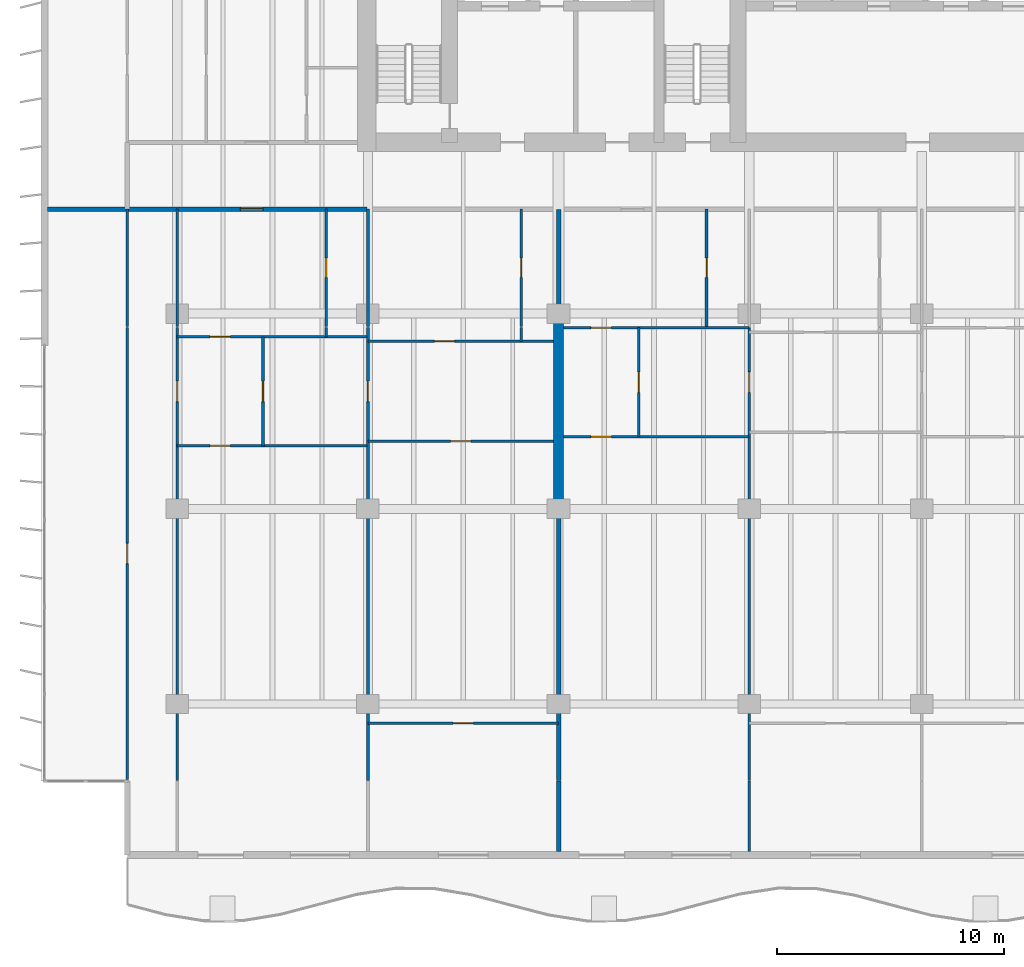
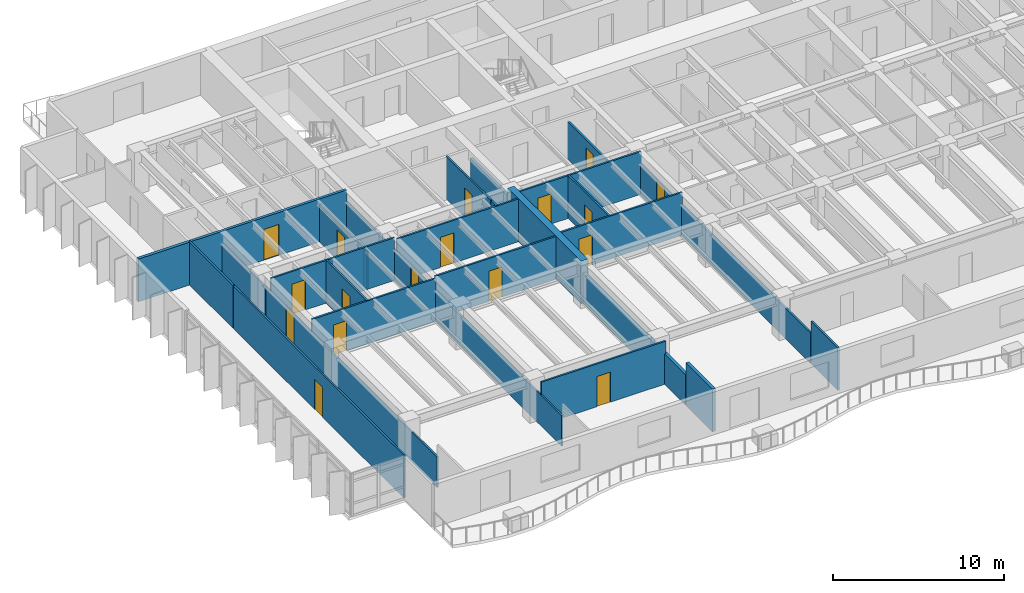
# One storey, part 6 of 15: 28 walls, 17 doors, 17 openings.
"""IFC4 building model written with IfcOpenShell, lengths in metres."""

from ifc_helpers import new_model, si_unit, direction, frame, frame_2d, origin, place, context, subcontext, project, spatial, rectangle, extrude, material, layer, layer_set, type_object, element, fill, save


model = new_model("IFC4")

# Units and contexts
model_context = context("Model", 3, precision=1e-05, world=origin(), true_north=direction((0.0, 1.0)))
body_context = subcontext(model_context, "Body", "Model", "MODEL_VIEW")
ifc_project = project(units=[si_unit("LENGTHUNIT", "METRE"), si_unit("AREAUNIT", "SQUARE_METRE"), si_unit("VOLUMEUNIT", "CUBIC_METRE"), si_unit("PLANEANGLEUNIT", "RADIAN"), si_unit("MASSUNIT", "GRAM", prefix="KILO")], contexts=[model_context])

# Site, building, storey
site_placement = place(None, origin())
site = spatial("IfcSite", under=ifc_project, at=site_placement, CompositionType="ELEMENT")
building_placement = place(site_placement, origin())
building = spatial("IfcBuilding", under=site, at=building_placement, Name="Caelmar Bay Residences", CompositionType="ELEMENT")
storey_placement = place(building_placement, frame((0.0, 0.0, 135.60009765625)))
storey = spatial("IfcBuildingStorey", under=building, at=storey_placement, Name="L37", CompositionType="ELEMENT", Elevation=135.60009765625)

# Wall
ifc_material_1 = material(Name="Concrete f'c 55 MPa (8,000 psi)", Category="concrete")
ifc_layer_1 = layer(ifc_material_1, 0.449951171875)
ifc_layer_set_1 = layer_set([ifc_layer_1], Name="Concrete f'c 55 MPa (8,000 psi)")
wall_type_1 = type_object("IfcWallType", Name="SW-XSLB-450", PredefinedType="SHEAR", material=ifc_layer_set_1)
wall_1_placement = place(storey_placement, frame((26.699951171875, 20.800048828125, 0.0), z_axis=(0.0, 0.0, 1.0), x_axis=(0.0, 1.0, 0.0)))
element("IfcWall", 1, at=wall_1_placement, inside=storey, type_object=wall_type_1, Name="L37 Transverse Cross-Slab Shear Wall W5", PredefinedType="SHEAR", context=body_context, shape_type="SweptSolid", body=[
    extrude(rectangle(XDim=8.599853515625, YDim=0.449951171875, at=frame_2d((4.2998046875, 0.0))), origin(), (0.0, 0.0, 1.0), 3.0498046875),
])

# Wall, opening, door
ifc_material_2 = material(Name="Double-stud acoustic fire-rated gypsum partition 180 mm")
ifc_layer_2 = layer(ifc_material_2, 0.179931640625)
ifc_layer_set_2 = layer_set([ifc_layer_2], Name="Double-stud acoustic fire-rated gypsum partition 180 mm")
wall_type_2 = type_object("IfcWallType", Name="W-COR-200", PredefinedType="PARTITIONING", material=ifc_layer_set_2)
wall_2_placement = place(storey_placement, frame((7.705078125, 34.0, 0.0), z_axis=(0.0, 0.0, 1.0), x_axis=(1.0, 0.0, 0.0)))
wall_2 = element("IfcWall", 2, at=wall_2_placement, inside=storey, type_object=wall_type_2, Name="L37 Partition Wall H093", PredefinedType="PARTITIONING", context=body_context, shape_type="SweptSolid", body=[
    extrude(rectangle(XDim=10.544921875, YDim=0.179931640625, at=frame_2d((5.2724609375, 0.0))), origin(), (0.0, 0.0, 1.0), 3.0498046875),
])
opening_1_placement = place(wall_2_placement, frame((4.978515625, 0.0, 0.0)))
opening_1 = element("IfcOpeningElement", 3, at=opening_1_placement, cuts=wall_2, Name="Opening D-L37-120", PredefinedType="OPENING", context=body_context, shape_type="SweptSolid", body=[
    extrude(rectangle(XDim=1.0, YDim=2.199951171875, at=frame_2d((0.5, 1.10009765625))), frame((0.0, 0.099853515625, 0.0), z_axis=(0.0, -1.0, 0.0), x_axis=(1.0, 0.0, 0.0)), (0.0, 0.0, 1.0), 0.199951171875),
])
ifc_material_3 = material(Name="Fire-rated steel and walnut architectural door assembly", Category="steel")
ifc_layer_3 = layer(ifc_material_3, 0.050048828125)
ifc_layer_set_3 = layer_set([ifc_layer_3], Name="Fire-rated steel and walnut architectural door assembly")
door_type_1 = type_object("IfcDoorType", Name="D-UNIT-1000", OperationType="NOTDEFINED", PredefinedType="DOOR", material=ifc_layer_set_3)
door_1_placement = place(opening_1_placement, origin())
door_1 = element("IfcDoor", 4, at=door_1_placement, inside=storey, type_object=door_type_1, Name="L37 Residence 01 Apartment Hall Door", OperationType="SINGLE_SWING_LEFT", OverallHeight=2.199951171875, OverallWidth=1.0, PredefinedType="DOOR", context=body_context, shape_type="SweptSolid", body=[
    extrude(rectangle(XDim=1.0, YDim=2.199951171875, at=frame_2d((0.5, 1.10009765625))), frame((0.0, 0.02490234375, 0.0), z_axis=(0.0, -1.0, 0.0), x_axis=(1.0, 0.0, 0.0)), (0.0, 0.0, 1.0), 0.050048828125),
])
fill(opening_1, door_1)

ifc_material_4 = material(Name="Acoustic metal-stud gypsum partition 120 mm")
ifc_layer_4 = layer(ifc_material_4, 0.1201171875)
ifc_layer_set_4 = layer_set([ifc_layer_4], Name="Acoustic metal-stud gypsum partition 120 mm")
wall_type_3 = type_object("IfcWallType", Name="W-PRT-120", PredefinedType="PARTITIONING", material=ifc_layer_set_4)
wall_3_placement = place(storey_placement, frame((7.699951171875, 8.885009765625, 0.0), z_axis=(0.0, 0.0, 1.0), x_axis=(0.0, 1.0, 0.0)))
wall_3 = element("IfcWall", 5, at=wall_3_placement, inside=storey, type_object=wall_type_3, Name="L37 Partition Wall V001", PredefinedType="PARTITIONING", context=body_context, shape_type="SweptSolid", body=[
    extrude(rectangle(XDim=19.89501953125, YDim=0.1201171875, at=frame_2d((9.947509765625, 0.0))), origin(), (0.0, 0.0, 1.0), 3.0498046875),
])
opening_2_placement = place(wall_3_placement, frame((9.49755859375, 0.0, 0.0)))
opening_2 = element("IfcOpeningElement", 6, at=opening_2_placement, cuts=wall_3, Name="Opening D-L37-161", PredefinedType="OPENING", context=body_context, shape_type="SweptSolid", body=[
    extrude(rectangle(XDim=0.89990234375, YDim=2.14990234375, at=frame_2d((0.449951171875, 1.074951171875))), frame((0.0, 0.070068359375, 0.0), z_axis=(0.0, -1.0, 0.0), x_axis=(1.0, 0.0, 0.0)), (0.0, 0.0, 1.0), 0.14013671875),
])
ifc_material_5 = material(Name="Solid walnut timber interior door leaf and frame", Category="wood")
ifc_layer_5 = layer(ifc_material_5, 0.050048828125)
ifc_layer_set_5 = layer_set([ifc_layer_5], Name="Solid walnut timber interior door leaf and frame")
door_type_2 = type_object("IfcDoorType", Name="D-ROOM-900", OperationType="NOTDEFINED", PredefinedType="DOOR", material=ifc_layer_set_5)
door_2_placement = place(opening_2_placement, origin())
door_2 = element("IfcDoor", 7, at=door_2_placement, inside=storey, type_object=door_type_2, Name="L37 Residence 01 Penthouse West Salon Door", OperationType="SINGLE_SWING_RIGHT", OverallHeight=2.14990234375, OverallWidth=0.89990234375, PredefinedType="DOOR", context=body_context, shape_type="SweptSolid", body=[
    extrude(rectangle(XDim=0.89990234375, YDim=2.14990234375, at=frame_2d((0.449951171875, 1.074951171875))), frame((0.0, 0.02490234375, 0.0), z_axis=(0.0, -1.0, 0.0), x_axis=(1.0, 0.0, 0.0)), (0.0, 0.0, 1.0), 0.050048828125),
])
fill(opening_2, door_2)

# Wall
wall_4_placement = place(storey_placement, frame((7.699951171875, 28.840087890625, 0.0), z_axis=(0.0, 0.0, 1.0), x_axis=(0.0, 1.0, 0.0)))
element("IfcWall", 8, at=wall_4_placement, inside=storey, type_object=wall_type_3, Name="L37 Partition Wall V002", PredefinedType="PARTITIONING", context=body_context, shape_type="SweptSolid", body=[
    extrude(rectangle(XDim=5.159912109375, YDim=0.1201171875, at=frame_2d((2.580078125, 0.0))), origin(), (0.0, 0.0, 1.0), 3.0498046875),
])

# Wall, opening, door
wall_5_placement = place(storey_placement, frame((9.89990234375, 8.840087890625, 0.0), z_axis=(0.0, 0.0, 1.0), x_axis=(0.0, 1.0, 0.0)))
wall_5 = element("IfcWall", 9, at=wall_5_placement, inside=storey, type_object=wall_type_3, Name="L37 Partition Wall V007", PredefinedType="PARTITIONING", context=body_context, shape_type="SweptSolid", body=[
    extrude(rectangle(XDim=19.93994140625, YDim=0.1201171875, at=frame_2d((9.969970703125, 0.0))), origin(), (0.0, 0.0, 1.0), 2.173828125),
])
opening_3_placement = place(wall_5_placement, frame((16.68994140625, 0.0, 0.0)))
opening_3 = element("IfcOpeningElement", 10, at=opening_3_placement, cuts=wall_5, Name="Opening D-L37-130", PredefinedType="OPENING", context=body_context, shape_type="SweptSolid", body=[
    extrude(rectangle(XDim=0.89990234375, YDim=2.1240234375, at=frame_2d((0.449951171875, 1.06201171875))), frame((0.0, 0.070068359375, 0.0), z_axis=(0.0, -1.0, 0.0), x_axis=(1.0, 0.0, 0.0)), (0.0, 0.0, 1.0), 0.14013671875),
])
door_3_placement = place(opening_3_placement, origin())
door_3 = element("IfcDoor", 11, at=door_3_placement, inside=storey, type_object=door_type_2, Name="L37 Residence 01 West Apartment Hall Door", OperationType="SINGLE_SWING_LEFT", OverallHeight=2.1240234375, OverallWidth=0.89990234375, PredefinedType="DOOR", context=body_context, shape_type="SweptSolid", body=[
    extrude(rectangle(XDim=0.89990234375, YDim=2.1240234375, at=frame_2d((0.449951171875, 1.06201171875))), frame((0.0, 0.02490234375, 0.0), z_axis=(0.0, -1.0, 0.0), x_axis=(1.0, 0.0, 0.0)), (0.0, 0.0, 1.0), 0.050048828125),
])
fill(opening_3, door_3)

# Wall
wall_6_placement = place(storey_placement, frame((9.89990234375, 28.840087890625, 0.0), z_axis=(0.0, 0.0, 1.0), x_axis=(0.0, 1.0, 0.0)))
element("IfcWall", 12, at=wall_6_placement, inside=storey, type_object=wall_type_3, Name="L37 Partition Wall V008", PredefinedType="PARTITIONING", context=body_context, shape_type="SweptSolid", body=[
    extrude(rectangle(XDim=5.159912109375, YDim=0.1201171875, at=frame_2d((2.580078125, 0.0))), origin(), (0.0, 0.0, 1.0), 2.173828125),
])

# Wall, opening, door
wall_7_placement = place(storey_placement, frame((13.679931640625, 23.580078125, 0.0), z_axis=(0.0, 0.0, 1.0), x_axis=(0.0, 1.0, 0.0)))
wall_7 = element("IfcWall", 13, at=wall_7_placement, inside=storey, type_object=wall_type_3, Name="L37 Partition Wall V010", PredefinedType="PARTITIONING", context=body_context, shape_type="SweptSolid", body=[
    extrude(rectangle(XDim=4.7998046875, YDim=0.1201171875, at=frame_2d((2.39990234375, 0.0))), origin(), (0.0, 0.0, 1.0), 3.0498046875),
])
opening_4_placement = place(wall_7_placement, frame((1.949951171875, 0.0, 0.0)))
opening_4 = element("IfcOpeningElement", 14, at=opening_4_placement, cuts=wall_7, Name="Opening D-L37-123", PredefinedType="OPENING", context=body_context, shape_type="SweptSolid", body=[
    extrude(rectangle(XDim=0.89990234375, YDim=2.14990234375, at=frame_2d((0.449951171875, 1.074951171875))), frame((0.0, 0.070068359375, 0.0), z_axis=(0.0, -1.0, 0.0), x_axis=(1.0, 0.0, 0.0)), (0.0, 0.0, 1.0), 0.14013671875),
])
door_4_placement = place(opening_4_placement, origin())
door_4 = element("IfcDoor", 15, at=door_4_placement, inside=storey, type_object=door_type_2, Name="L37 Residence 01 Kitchen Door", OperationType="SINGLE_SWING_RIGHT", OverallHeight=2.14990234375, OverallWidth=0.89990234375, PredefinedType="DOOR", context=body_context, shape_type="SweptSolid", body=[
    extrude(rectangle(XDim=0.89990234375, YDim=2.14990234375, at=frame_2d((0.449951171875, 1.074951171875))), frame((0.0, 0.02490234375, 0.0), z_axis=(0.0, -1.0, 0.0), x_axis=(1.0, 0.0, 0.0)), (0.0, 0.0, 1.0), 0.050048828125),
])
fill(opening_4, door_4)

# Wall
wall_8_placement = place(storey_placement, frame((16.467041015625, 28.3798828125, 0.0), z_axis=(0.0, 0.0, 1.0), x_axis=(0.0, 1.0, 0.0)))
element("IfcWall", 16, at=wall_8_placement, inside=storey, type_object=wall_type_3, Name="L37 Partition Wall V012", PredefinedType="PARTITIONING", context=body_context, shape_type="SweptSolid", body=[
    extrude(rectangle(XDim=0.400146484375, YDim=0.1201171875, at=frame_2d((0.2001953125, 0.0))), origin(), (0.0, 0.0, 1.0), 2.678955078125),
])

# Wall, opening, door
wall_9_placement = place(storey_placement, frame((16.467041015625, 28.840087890625, 0.0), z_axis=(0.0, 0.0, 1.0), x_axis=(0.0, 1.0, 0.0)))
wall_9 = element("IfcWall", 17, at=wall_9_placement, inside=storey, type_object=wall_type_3, Name="L37 Partition Wall V013", PredefinedType="PARTITIONING", context=body_context, shape_type="SweptSolid", body=[
    extrude(rectangle(XDim=5.159912109375, YDim=0.1201171875, at=frame_2d((2.580078125, 0.0))), origin(), (0.0, 0.0, 1.0), 2.678955078125),
])
opening_5_placement = place(wall_9_placement, frame((2.155029296875, 0.0, 0.0)))
opening_5 = element("IfcOpeningElement", 18, at=opening_5_placement, cuts=wall_9, Name="Opening D-L37-121", PredefinedType="OPENING", context=body_context, shape_type="SweptSolid", body=[
    extrude(rectangle(XDim=0.85009765625, YDim=2.10009765625, at=frame_2d((0.425048828125, 1.050048828125))), frame((0.0, 0.070068359375, 0.0), z_axis=(0.0, -1.0, 0.0), x_axis=(1.0, 0.0, 0.0)), (0.0, 0.0, 1.0), 0.14013671875),
])
ifc_layer_6 = layer(ifc_material_5, 0.050048828125)
ifc_layer_set_6 = layer_set([ifc_layer_6], Name="Solid walnut timber interior door leaf and frame")
door_type_3 = type_object("IfcDoorType", Name="D-BATH-850", OperationType="NOTDEFINED", PredefinedType="DOOR", material=ifc_layer_set_6)
door_5_placement = place(opening_5_placement, origin())
door_5 = element("IfcDoor", 19, at=door_5_placement, inside=storey, type_object=door_type_3, Name="L37 Residence 01 Guest Bathroom Door", OperationType="SINGLE_SWING_RIGHT", OverallHeight=2.10009765625, OverallWidth=0.85009765625, PredefinedType="DOOR", context=body_context, shape_type="SweptSolid", body=[
    extrude(rectangle(XDim=0.85009765625, YDim=2.10009765625, at=frame_2d((0.425048828125, 1.050048828125))), frame((0.0, 0.02490234375, 0.0), z_axis=(0.0, -1.0, 0.0), x_axis=(1.0, 0.0, 0.0)), (0.0, 0.0, 1.0), 0.050048828125),
])
fill(opening_5, door_5)

wall_10_placement = place(storey_placement, frame((18.300048828125, 8.840087890625, 0.0), z_axis=(0.0, 0.0, 1.0), x_axis=(0.0, 1.0, 0.0)))
wall_10 = element("IfcWall", 20, at=wall_10_placement, inside=storey, type_object=wall_type_3, Name="L37 Partition Wall V015", PredefinedType="PARTITIONING", context=body_context, shape_type="SweptSolid", body=[
    extrude(rectangle(XDim=19.93994140625, YDim=0.1201171875, at=frame_2d((9.969970703125, 0.0))), origin(), (0.0, 0.0, 1.0), 2.173828125),
])
opening_6_placement = place(wall_10_placement, frame((16.68994140625, 0.0, 0.0)))
opening_6 = element("IfcOpeningElement", 21, at=opening_6_placement, cuts=wall_10, Name="Opening D-L37-125", PredefinedType="OPENING", context=body_context, shape_type="SweptSolid", body=[
    extrude(rectangle(XDim=0.89990234375, YDim=2.1240234375, at=frame_2d((0.449951171875, 1.06201171875))), frame((0.0, 0.070068359375, 0.0), z_axis=(0.0, -1.0, 0.0), x_axis=(1.0, 0.0, 0.0)), (0.0, 0.0, 1.0), 0.14013671875),
])
door_6_placement = place(opening_6_placement, origin())
door_6 = element("IfcDoor", 22, at=door_6_placement, inside=storey, type_object=door_type_2, Name="L37 Residence 01 Reception Lounge 1 Door", OperationType="SINGLE_SWING_RIGHT", OverallHeight=2.1240234375, OverallWidth=0.89990234375, PredefinedType="DOOR", context=body_context, shape_type="SweptSolid", body=[
    extrude(rectangle(XDim=0.89990234375, YDim=2.1240234375, at=frame_2d((0.449951171875, 1.06201171875))), frame((0.0, 0.02490234375, 0.0), z_axis=(0.0, -1.0, 0.0), x_axis=(1.0, 0.0, 0.0)), (0.0, 0.0, 1.0), 0.050048828125),
])
fill(opening_6, door_6)

# Walls
wall_11_placement = place(storey_placement, frame((18.300048828125, 28.840087890625, 0.0), z_axis=(0.0, 0.0, 1.0), x_axis=(0.0, 1.0, 0.0)))
element("IfcWall", 23, at=wall_11_placement, inside=storey, type_object=wall_type_3, Name="L37 Partition Wall V016", PredefinedType="PARTITIONING", context=body_context, shape_type="SweptSolid", body=[
    extrude(rectangle(XDim=5.159912109375, YDim=0.1201171875, at=frame_2d((2.580078125, 0.0))), origin(), (0.0, 0.0, 1.0), 2.173828125),
])
wall_12_placement = place(storey_placement, frame((25.051025390625, 28.179931640625, 0.0), z_axis=(0.0, 0.0, 1.0), x_axis=(0.0, 1.0, 0.0)))
element("IfcWall", 24, at=wall_12_placement, inside=storey, type_object=wall_type_3, Name="L37 Partition Wall V018", PredefinedType="PARTITIONING", context=body_context, shape_type="SweptSolid", body=[
    extrude(rectangle(XDim=0.60009765625, YDim=0.1201171875, at=frame_2d((0.300048828125, 0.0))), origin(), (0.0, 0.0, 1.0), 3.0498046875),
])

# Wall, opening, door
wall_13_placement = place(storey_placement, frame((25.051025390625, 28.840087890625, 0.0), z_axis=(0.0, 0.0, 1.0), x_axis=(0.0, 1.0, 0.0)))
wall_13 = element("IfcWall", 25, at=wall_13_placement, inside=storey, type_object=wall_type_3, Name="L37 Partition Wall V019", PredefinedType="PARTITIONING", context=body_context, shape_type="SweptSolid", body=[
    extrude(rectangle(XDim=5.159912109375, YDim=0.1201171875, at=frame_2d((2.580078125, 0.0))), origin(), (0.0, 0.0, 1.0), 3.0498046875),
])
opening_7_placement = place(wall_13_placement, frame((2.155029296875, 0.0, 0.0)))
opening_7 = element("IfcOpeningElement", 26, at=opening_7_placement, cuts=wall_13, Name="Opening D-L37-127", PredefinedType="OPENING", context=body_context, shape_type="SweptSolid", body=[
    extrude(rectangle(XDim=0.85009765625, YDim=2.10009765625, at=frame_2d((0.425048828125, 1.050048828125))), frame((0.0, 0.070068359375, 0.0), z_axis=(0.0, -1.0, 0.0), x_axis=(1.0, 0.0, 0.0)), (0.0, 0.0, 1.0), 0.14013671875),
])
door_7_placement = place(opening_7_placement, origin())
door_7 = element("IfcDoor", 27, at=door_7_placement, inside=storey, type_object=door_type_3, Name="L37 Residence 01 En-Suite Bathroom 1 Door", OperationType="SINGLE_SWING_RIGHT", OverallHeight=2.10009765625, OverallWidth=0.85009765625, PredefinedType="DOOR", context=body_context, shape_type="SweptSolid", body=[
    extrude(rectangle(XDim=0.85009765625, YDim=2.10009765625, at=frame_2d((0.425048828125, 1.050048828125))), frame((0.0, 0.02490234375, 0.0), z_axis=(0.0, -1.0, 0.0), x_axis=(1.0, 0.0, 0.0)), (0.0, 0.0, 1.0), 0.050048828125),
])
fill(opening_7, door_7)

wall_14_placement = place(storey_placement, frame((30.22802734375, 23.97998046875, 0.0), z_axis=(0.0, 0.0, 1.0), x_axis=(0.0, 1.0, 0.0)))
wall_14 = element("IfcWall", 28, at=wall_14_placement, inside=storey, type_object=wall_type_3, Name="L37 Partition Wall V026", PredefinedType="PARTITIONING", context=body_context, shape_type="SweptSolid", body=[
    extrude(rectangle(XDim=4.800048828125, YDim=0.1201171875, at=frame_2d((2.39990234375, 0.0))), origin(), (0.0, 0.0, 1.0), 3.0498046875),
])
opening_8_placement = place(wall_14_placement, frame((1.949951171875, 0.0, 0.0)))
opening_8 = element("IfcOpeningElement", 29, at=opening_8_placement, cuts=wall_14, Name="Opening D-L37-134", PredefinedType="OPENING", context=body_context, shape_type="SweptSolid", body=[
    extrude(rectangle(XDim=0.89990234375, YDim=2.14990234375, at=frame_2d((0.449951171875, 1.074951171875))), frame((0.0, 0.070068359375, 0.0), z_axis=(0.0, -1.0, 0.0), x_axis=(1.0, 0.0, 0.0)), (0.0, 0.0, 1.0), 0.14013671875),
])
door_8_placement = place(opening_8_placement, origin())
door_8 = element("IfcDoor", 30, at=door_8_placement, inside=storey, type_object=door_type_2, Name="L37 Residence 02 Kitchen Door", OperationType="SINGLE_SWING_LEFT", OverallHeight=2.14990234375, OverallWidth=0.89990234375, PredefinedType="DOOR", context=body_context, shape_type="SweptSolid", body=[
    extrude(rectangle(XDim=0.89990234375, YDim=2.14990234375, at=frame_2d((0.449951171875, 1.074951171875))), frame((0.0, 0.02490234375, 0.0), z_axis=(0.0, -1.0, 0.0), x_axis=(1.0, 0.0, 0.0)), (0.0, 0.0, 1.0), 0.050048828125),
])
fill(opening_8, door_8)

wall_15_placement = place(storey_placement, frame((33.222900390625, 28.840087890625, 0.0), z_axis=(0.0, 0.0, 1.0), x_axis=(0.0, 1.0, 0.0)))
wall_15 = element("IfcWall", 31, at=wall_15_placement, inside=storey, type_object=wall_type_3, Name="L37 Partition Wall V027", PredefinedType="PARTITIONING", context=body_context, shape_type="SweptSolid", body=[
    extrude(rectangle(XDim=5.159912109375, YDim=0.1201171875, at=frame_2d((2.580078125, 0.0))), origin(), (0.0, 0.0, 1.0), 2.678955078125),
])
opening_9_placement = place(wall_15_placement, frame((2.155029296875, 0.0, 0.0)))
opening_9 = element("IfcOpeningElement", 32, at=opening_9_placement, cuts=wall_15, Name="Opening D-L37-132", PredefinedType="OPENING", context=body_context, shape_type="SweptSolid", body=[
    extrude(rectangle(XDim=0.85009765625, YDim=2.10009765625, at=frame_2d((0.425048828125, 1.050048828125))), frame((0.0, 0.070068359375, 0.0), z_axis=(0.0, -1.0, 0.0), x_axis=(1.0, 0.0, 0.0)), (0.0, 0.0, 1.0), 0.14013671875),
])
door_9_placement = place(opening_9_placement, origin())
door_9 = element("IfcDoor", 33, at=door_9_placement, inside=storey, type_object=door_type_3, Name="L37 Residence 02 Guest Bathroom Door", OperationType="SINGLE_SWING_LEFT", OverallHeight=2.10009765625, OverallWidth=0.85009765625, PredefinedType="DOOR", context=body_context, shape_type="SweptSolid", body=[
    extrude(rectangle(XDim=0.85009765625, YDim=2.10009765625, at=frame_2d((0.425048828125, 1.050048828125))), frame((0.0, 0.02490234375, 0.0), z_axis=(0.0, -1.0, 0.0), x_axis=(1.0, 0.0, 0.0)), (0.0, 0.0, 1.0), 0.050048828125),
])
fill(opening_9, door_9)

# Wall
wall_16_placement = place(storey_placement, frame((35.10009765625, 5.695068359375, 0.0), z_axis=(0.0, 0.0, 1.0), x_axis=(0.0, 1.0, 0.0)))
element("IfcWall", 34, at=wall_16_placement, inside=storey, type_object=wall_type_3, Name="L37 Partition Wall V028", PredefinedType="PARTITIONING", context=body_context, shape_type="SweptSolid", body=[
    extrude(rectangle(XDim=3.10498046875, YDim=0.1201171875, at=frame_2d((1.552490234375, 0.0))), origin(), (0.0, 0.0, 1.0), 3.0498046875),
])

# Wall, opening, door
wall_17_placement = place(storey_placement, frame((35.10009765625, 8.840087890625, 0.0), z_axis=(0.0, 0.0, 1.0), x_axis=(0.0, 1.0, 0.0)))
wall_17 = element("IfcWall", 35, at=wall_17_placement, inside=storey, type_object=wall_type_3, Name="L37 Partition Wall V029", PredefinedType="PARTITIONING", context=body_context, shape_type="SweptSolid", body=[
    extrude(rectangle(XDim=19.93994140625, YDim=0.1201171875, at=frame_2d((9.969970703125, 0.0))), origin(), (0.0, 0.0, 1.0), 2.173828125),
])
opening_10_placement = place(wall_17_placement, frame((17.090087890625, 0.0, 0.0)))
opening_10 = element("IfcOpeningElement", 36, at=opening_10_placement, cuts=wall_17, Name="Opening D-L37-136", PredefinedType="OPENING", context=body_context, shape_type="SweptSolid", body=[
    extrude(rectangle(XDim=0.89990234375, YDim=2.1240234375, at=frame_2d((0.449951171875, 1.06201171875))), frame((0.0, 0.070068359375, 0.0), z_axis=(0.0, -1.0, 0.0), x_axis=(1.0, 0.0, 0.0)), (0.0, 0.0, 1.0), 0.14013671875),
])
door_10_placement = place(opening_10_placement, origin())
door_10 = element("IfcDoor", 37, at=door_10_placement, inside=storey, type_object=door_type_2, Name="L37 Residence 02 Reception Lounge 1 Door", OperationType="SINGLE_SWING_LEFT", OverallHeight=2.1240234375, OverallWidth=0.89990234375, PredefinedType="DOOR", context=body_context, shape_type="SweptSolid", body=[
    extrude(rectangle(XDim=0.89990234375, YDim=2.1240234375, at=frame_2d((0.449951171875, 1.06201171875))), frame((0.0, 0.02490234375, 0.0), z_axis=(0.0, -1.0, 0.0), x_axis=(1.0, 0.0, 0.0)), (0.0, 0.0, 1.0), 0.050048828125),
])
fill(opening_10, door_10)

wall_18_placement = place(storey_placement, frame((18.300048828125, 11.35009765625, 0.0), z_axis=(0.0, 0.0, 1.0), x_axis=(1.0, 0.0, 0.0)))
wall_18 = element("IfcWall", 38, at=wall_18_placement, inside=storey, type_object=wall_type_3, Name="L37 Partition Wall H071", PredefinedType="PARTITIONING", context=body_context, shape_type="SweptSolid", body=[
    extrude(rectangle(XDim=8.39990234375, YDim=0.1201171875, at=frame_2d((4.199951171875, 0.0))), origin(), (0.0, 0.0, 1.0), 3.0498046875),
])
opening_11_placement = place(wall_18_placement, frame((3.75, 0.0, 0.0)))
opening_11 = element("IfcOpeningElement", 39, at=opening_11_placement, cuts=wall_18, Name="Opening D-L37-129", PredefinedType="OPENING", context=body_context, shape_type="SweptSolid", body=[
    extrude(rectangle(XDim=0.89990234375, YDim=2.14990234375, at=frame_2d((0.449951171875, 1.074951171875))), frame((0.0, 0.070068359375, 0.0), z_axis=(0.0, -1.0, 0.0), x_axis=(1.0, 0.0, 0.0)), (0.0, 0.0, 1.0), 0.14013671875),
])
door_11_placement = place(opening_11_placement, origin())
door_11 = element("IfcDoor", 40, at=door_11_placement, inside=storey, type_object=door_type_2, Name="L37 Residence 01 Primary Bedroom 1 Door", OperationType="SINGLE_SWING_RIGHT", OverallHeight=2.14990234375, OverallWidth=0.89990234375, PredefinedType="DOOR", context=body_context, shape_type="SweptSolid", body=[
    extrude(rectangle(XDim=0.89990234375, YDim=2.14990234375, at=frame_2d((0.449951171875, 1.074951171875))), frame((0.0, 0.02490234375, 0.0), z_axis=(0.0, -1.0, 0.0), x_axis=(1.0, 0.0, 0.0)), (0.0, 0.0, 1.0), 0.050048828125),
])
fill(opening_11, door_11)

wall_19_placement = place(storey_placement, frame((9.89990234375, 23.580078125, 0.0), z_axis=(0.0, 0.0, 1.0), x_axis=(1.0, 0.0, 0.0)))
wall_19 = element("IfcWall", 41, at=wall_19_placement, inside=storey, type_object=wall_type_3, Name="L37 Partition Wall H078", PredefinedType="PARTITIONING", context=body_context, shape_type="SweptSolid", body=[
    extrude(rectangle(XDim=8.35009765625, YDim=0.1201171875, at=frame_2d((4.175048828125, 0.0))), origin(), (0.0, 0.0, 1.0), 3.0498046875),
])
opening_12_placement = place(wall_19_placement, frame((1.43994140625, 0.0, 0.0)))
opening_12 = element("IfcOpeningElement", 42, at=opening_12_placement, cuts=wall_19, Name="Opening D-L37-124", PredefinedType="OPENING", context=body_context, shape_type="SweptSolid", body=[
    extrude(rectangle(XDim=0.89990234375, YDim=2.14990234375, at=frame_2d((0.449951171875, 1.074951171875))), frame((0.0, 0.070068359375, 0.0), z_axis=(0.0, -1.0, 0.0), x_axis=(1.0, 0.0, 0.0)), (0.0, 0.0, 1.0), 0.14013671875),
])
door_12_placement = place(opening_12_placement, origin())
door_12 = element("IfcDoor", 43, at=door_12_placement, inside=storey, type_object=door_type_2, Name="L37 Residence 01 Penthouse Living Salon Door", OperationType="SINGLE_SWING_LEFT", OverallHeight=2.14990234375, OverallWidth=0.89990234375, PredefinedType="DOOR", context=body_context, shape_type="SweptSolid", body=[
    extrude(rectangle(XDim=0.89990234375, YDim=2.14990234375, at=frame_2d((0.449951171875, 1.074951171875))), frame((0.0, 0.02490234375, 0.0), z_axis=(0.0, -1.0, 0.0), x_axis=(1.0, 0.0, 0.0)), (0.0, 0.0, 1.0), 0.050048828125),
])
fill(opening_12, door_12)

wall_20_placement = place(storey_placement, frame((18.300048828125, 23.780029296875, 0.0), z_axis=(0.0, 0.0, 1.0), x_axis=(1.0, 0.0, 0.0)))
wall_20 = element("IfcWall", 44, at=wall_20_placement, inside=storey, type_object=wall_type_3, Name="L37 Partition Wall H080", PredefinedType="PARTITIONING", context=body_context, shape_type="SweptSolid", body=[
    extrude(rectangle(XDim=8.179931640625, YDim=0.1201171875, at=frame_2d((4.08984375, 0.0))), origin(), (0.0, 0.0, 1.0), 3.0498046875),
])
opening_13_placement = place(wall_20_placement, frame((3.639892578125, 0.0, 0.0)))
opening_13 = element("IfcOpeningElement", 45, at=opening_13_placement, cuts=wall_20, Name="Opening D-L37-128", PredefinedType="OPENING", context=body_context, shape_type="SweptSolid", body=[
    extrude(rectangle(XDim=0.89990234375, YDim=2.14990234375, at=frame_2d((0.449951171875, 1.074951171875))), frame((0.0, 0.070068359375, 0.0), z_axis=(0.0, -1.0, 0.0), x_axis=(1.0, 0.0, 0.0)), (0.0, 0.0, 1.0), 0.14013671875),
])
door_13_placement = place(opening_13_placement, origin())
door_13 = element("IfcDoor", 46, at=door_13_placement, inside=storey, type_object=door_type_2, Name="L37 Residence 01 Penthouse Sitting Salon 1 Door", OperationType="SINGLE_SWING_LEFT", OverallHeight=2.14990234375, OverallWidth=0.89990234375, PredefinedType="DOOR", context=body_context, shape_type="SweptSolid", body=[
    extrude(rectangle(XDim=0.89990234375, YDim=2.14990234375, at=frame_2d((0.449951171875, 1.074951171875))), frame((0.0, 0.02490234375, 0.0), z_axis=(0.0, -1.0, 0.0), x_axis=(1.0, 0.0, 0.0)), (0.0, 0.0, 1.0), 0.050048828125),
])
fill(opening_13, door_13)

wall_21_placement = place(storey_placement, frame((26.919921875, 23.97998046875, 0.0), z_axis=(0.0, 0.0, 1.0), x_axis=(1.0, 0.0, 0.0)))
wall_21 = element("IfcWall", 47, at=wall_21_placement, inside=storey, type_object=wall_type_3, Name="L37 Partition Wall H081", PredefinedType="PARTITIONING", context=body_context, shape_type="SweptSolid", body=[
    extrude(rectangle(XDim=8.18017578125, YDim=0.1201171875, at=frame_2d((4.090087890625, 0.0))), origin(), (0.0, 0.0, 1.0), 3.0498046875),
])
opening_14_placement = place(wall_21_placement, frame((1.2041015625, 0.0, 0.0)))
opening_14 = element("IfcOpeningElement", 48, at=opening_14_placement, cuts=wall_21, Name="Opening D-L37-135", PredefinedType="OPENING", context=body_context, shape_type="SweptSolid", body=[
    extrude(rectangle(XDim=0.89990234375, YDim=2.14990234375, at=frame_2d((0.449951171875, 1.074951171875))), frame((0.0, 0.070068359375, 0.0), z_axis=(0.0, -1.0, 0.0), x_axis=(1.0, 0.0, 0.0)), (0.0, 0.0, 1.0), 0.14013671875),
])
door_14_placement = place(opening_14_placement, origin())
door_14 = element("IfcDoor", 49, at=door_14_placement, inside=storey, type_object=door_type_2, Name="L37 Residence 02 Penthouse Living Salon Door", OperationType="SINGLE_SWING_RIGHT", OverallHeight=2.14990234375, OverallWidth=0.89990234375, PredefinedType="DOOR", context=body_context, shape_type="SweptSolid", body=[
    extrude(rectangle(XDim=0.89990234375, YDim=2.14990234375, at=frame_2d((0.449951171875, 1.074951171875))), frame((0.0, 0.02490234375, 0.0), z_axis=(0.0, -1.0, 0.0), x_axis=(1.0, 0.0, 0.0)), (0.0, 0.0, 1.0), 0.050048828125),
])
fill(opening_14, door_14)

wall_22_placement = place(storey_placement, frame((18.300048828125, 28.179931640625, 0.0), z_axis=(0.0, 0.0, 1.0), x_axis=(1.0, 0.0, 0.0)))
wall_22 = element("IfcWall", 50, at=wall_22_placement, inside=storey, type_object=wall_type_3, Name="L37 Partition Wall H084", PredefinedType="PARTITIONING", context=body_context, shape_type="SweptSolid", body=[
    extrude(rectangle(XDim=8.179931640625, YDim=0.1201171875, at=frame_2d((4.08984375, 0.0))), origin(), (0.0, 0.0, 1.0), 3.0498046875),
])
opening_15_placement = place(wall_22_placement, frame((2.925537109375, 0.0, 0.0)))
opening_15 = element("IfcOpeningElement", 51, at=opening_15_placement, cuts=wall_22, Name="Opening D-L37-126", PredefinedType="OPENING", context=body_context, shape_type="SweptSolid", body=[
    extrude(rectangle(XDim=0.89990234375, YDim=2.14990234375, at=frame_2d((0.449951171875, 1.074951171875))), frame((0.0, 0.070068359375, 0.0), z_axis=(0.0, -1.0, 0.0), x_axis=(1.0, 0.0, 0.0)), (0.0, 0.0, 1.0), 0.14013671875),
])
door_15_placement = place(opening_15_placement, origin())
door_15 = element("IfcDoor", 52, at=door_15_placement, inside=storey, type_object=door_type_2, Name="L37 Residence 01 Private Reception Room 1 Door", OperationType="SINGLE_SWING_LEFT", OverallHeight=2.14990234375, OverallWidth=0.89990234375, PredefinedType="DOOR", context=body_context, shape_type="SweptSolid", body=[
    extrude(rectangle(XDim=0.89990234375, YDim=2.14990234375, at=frame_2d((0.449951171875, 1.074951171875))), frame((0.0, 0.02490234375, 0.0), z_axis=(0.0, -1.0, 0.0), x_axis=(1.0, 0.0, 0.0)), (0.0, 0.0, 1.0), 0.050048828125),
])
fill(opening_15, door_15)

wall_23_placement = place(storey_placement, frame((9.89990234375, 28.3798828125, 0.0), z_axis=(0.0, 0.0, 1.0), x_axis=(1.0, 0.0, 0.0)))
wall_23 = element("IfcWall", 53, at=wall_23_placement, inside=storey, type_object=wall_type_3, Name="L37 Partition Wall H085", PredefinedType="PARTITIONING", context=body_context, shape_type="SweptSolid", body=[
    extrude(rectangle(XDim=8.35009765625, YDim=0.1201171875, at=frame_2d((4.175048828125, 0.0))), origin(), (0.0, 0.0, 1.0), 3.0498046875),
])
opening_16_placement = place(wall_23_placement, frame((1.43994140625, 0.0, 0.0)))
opening_16 = element("IfcOpeningElement", 54, at=opening_16_placement, cuts=wall_23, Name="Opening D-L37-122", PredefinedType="OPENING", context=body_context, shape_type="SweptSolid", body=[
    extrude(rectangle(XDim=0.89990234375, YDim=2.14990234375, at=frame_2d((0.449951171875, 1.074951171875))), frame((0.0, 0.070068359375, 0.0), z_axis=(0.0, -1.0, 0.0), x_axis=(1.0, 0.0, 0.0)), (0.0, 0.0, 1.0), 0.14013671875),
])
door_16_placement = place(opening_16_placement, origin())
door_16 = element("IfcDoor", 55, at=door_16_placement, inside=storey, type_object=door_type_2, Name="L37 Residence 01 Dining Room Door", OperationType="SINGLE_SWING_LEFT", OverallHeight=2.14990234375, OverallWidth=0.89990234375, PredefinedType="DOOR", context=body_context, shape_type="SweptSolid", body=[
    extrude(rectangle(XDim=0.89990234375, YDim=2.14990234375, at=frame_2d((0.449951171875, 1.074951171875))), frame((0.0, 0.02490234375, 0.0), z_axis=(0.0, -1.0, 0.0), x_axis=(1.0, 0.0, 0.0)), (0.0, 0.0, 1.0), 0.050048828125),
])
fill(opening_16, door_16)

wall_24_placement = place(storey_placement, frame((26.919921875, 28.780029296875, 0.0), z_axis=(0.0, 0.0, 1.0), x_axis=(1.0, 0.0, 0.0)))
wall_24 = element("IfcWall", 56, at=wall_24_placement, inside=storey, type_object=wall_type_3, Name="L37 Partition Wall H089", PredefinedType="PARTITIONING", context=body_context, shape_type="SweptSolid", body=[
    extrude(rectangle(XDim=8.18017578125, YDim=0.1201171875, at=frame_2d((4.090087890625, 0.0))), origin(), (0.0, 0.0, 1.0), 3.0498046875),
])
opening_17_placement = place(wall_24_placement, frame((1.2041015625, 0.0, 0.0)))
opening_17 = element("IfcOpeningElement", 57, at=opening_17_placement, cuts=wall_24, Name="Opening D-L37-133", PredefinedType="OPENING", context=body_context, shape_type="SweptSolid", body=[
    extrude(rectangle(XDim=0.89990234375, YDim=2.14990234375, at=frame_2d((0.449951171875, 1.074951171875))), frame((0.0, 0.070068359375, 0.0), z_axis=(0.0, -1.0, 0.0), x_axis=(1.0, 0.0, 0.0)), (0.0, 0.0, 1.0), 0.14013671875),
])
door_17_placement = place(opening_17_placement, origin())
door_17 = element("IfcDoor", 58, at=door_17_placement, inside=storey, type_object=door_type_2, Name="L37 Residence 02 Dining Room Door", OperationType="SINGLE_SWING_RIGHT", OverallHeight=2.14990234375, OverallWidth=0.89990234375, PredefinedType="DOOR", context=body_context, shape_type="SweptSolid", body=[
    extrude(rectangle(XDim=0.89990234375, YDim=2.14990234375, at=frame_2d((0.449951171875, 1.074951171875))), frame((0.0, 0.02490234375, 0.0), z_axis=(0.0, -1.0, 0.0), x_axis=(1.0, 0.0, 0.0)), (0.0, 0.0, 1.0), 0.050048828125),
])
fill(opening_17, door_17)

# Walls
ifc_material_6 = material(Name="Acoustic twin-stud fire-rated inter-tenancy partition 200 mm")
ifc_layer_7 = layer(ifc_material_6, 0.199951171875)
ifc_layer_set_7 = layer_set([ifc_layer_7], Name="Acoustic twin-stud fire-rated inter-tenancy partition 200 mm")
wall_type_4 = type_object("IfcWallType", Name="W-PTY-200", PredefinedType="PARTITIONING", material=ifc_layer_set_7)
wall_25_placement = place(storey_placement, frame((26.699951171875, 5.695068359375, 0.0), z_axis=(0.0, 0.0, 1.0), x_axis=(0.0, 1.0, 0.0)))
element("IfcWall", 59, at=wall_25_placement, inside=storey, type_object=wall_type_4, Name="L37 Partition Wall V021", PredefinedType="PARTITIONING", context=body_context, shape_type="SweptSolid", body=[
    extrude(rectangle(XDim=3.10498046875, YDim=0.199951171875, at=frame_2d((1.552490234375, 0.0))), origin(), (0.0, 0.0, 1.0), 3.0498046875),
])
wall_26_placement = place(storey_placement, frame((26.699951171875, 8.840087890625, 0.0), z_axis=(0.0, 0.0, 1.0), x_axis=(0.0, 1.0, 0.0)))
element("IfcWall", 60, at=wall_26_placement, inside=storey, type_object=wall_type_4, Name="L37 Partition Wall V022", PredefinedType="PARTITIONING", context=body_context, shape_type="SweptSolid", body=[
    extrude(rectangle(XDim=11.954833984375, YDim=0.199951171875, at=frame_2d((5.9775390625, 0.0))), origin(), (0.0, 0.0, 1.0), 2.173828125),
])
wall_27_placement = place(storey_placement, frame((26.699951171875, 29.405029296875, 0.0), z_axis=(0.0, 0.0, 1.0), x_axis=(0.0, 1.0, 0.0)))
element("IfcWall", 61, at=wall_27_placement, inside=storey, type_object=wall_type_4, Name="L37 Partition Wall V023", PredefinedType="PARTITIONING", context=body_context, shape_type="SweptSolid", body=[
    extrude(rectangle(XDim=4.594970703125, YDim=0.199951171875, at=frame_2d((2.29736328125, 0.0))), origin(), (0.0, 0.0, 1.0), 2.3349609375),
])
wall_28_placement = place(storey_placement, frame((4.195068359375, 34.0, 0.0), z_axis=(0.0, 0.0, 1.0), x_axis=(1.0, 0.0, 0.0)))
element("IfcWall", 62, at=wall_28_placement, inside=storey, type_object=wall_type_4, Name="L37 Partition Wall H092", PredefinedType="PARTITIONING", context=body_context, shape_type="SweptSolid", body=[
    extrude(rectangle(XDim=3.5048828125, YDim=0.199951171875, at=frame_2d((1.75244140625, 0.0))), origin(), (0.0, 0.0, 1.0), 3.0498046875),
])

save(model, "model.ifc")
